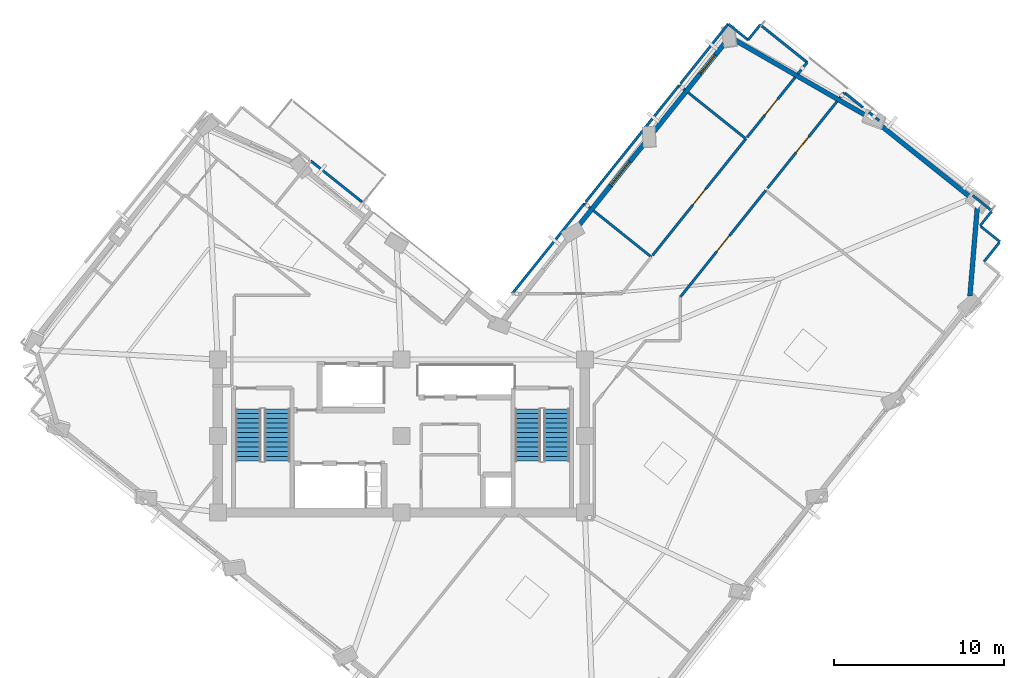
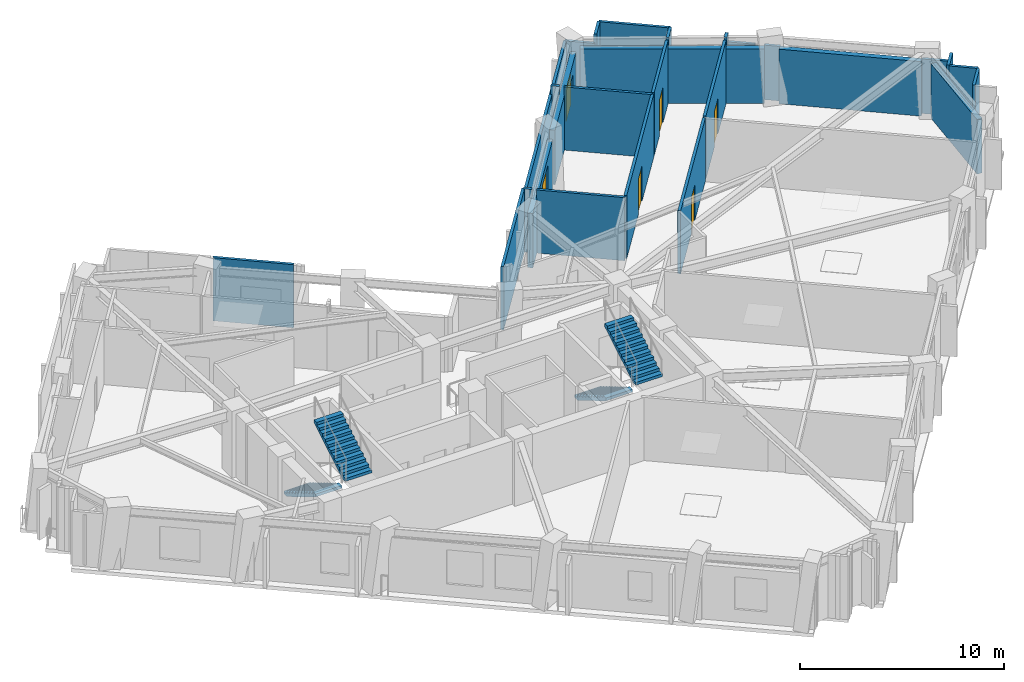
# One storey, part 7 of 10: 28 walls, 4 doors, 4 stair flights, 2 windows, 6 openings, 2 elements without a shape of their own.
"""IFC4 building model written with IfcOpenShell, lengths in metres."""

from ifc_helpers import new_model, si_unit, direction, frame, frame_2d, origin, place, context, subcontext, project, spatial, polyline, rectangle, outline, extrude, material, layer, layer_set, type_object, element, fill, aggregate, save


model = new_model("IFC4")

# Units and contexts
model_context = context("Model", 3, precision=1e-05, world=origin(), true_north=direction((0.0, 1.0)))
body_context = subcontext(model_context, "Body", "Model", "MODEL_VIEW")
ifc_project = project(units=[si_unit("LENGTHUNIT", "METRE"), si_unit("AREAUNIT", "SQUARE_METRE"), si_unit("VOLUMEUNIT", "CUBIC_METRE"), si_unit("PLANEANGLEUNIT", "RADIAN"), si_unit("MASSUNIT", "GRAM", prefix="KILO")], contexts=[model_context])

# Site, building, storey
site_placement = place(None, origin())
site = spatial("IfcSite", under=ifc_project, at=site_placement, CompositionType="ELEMENT")
building_placement = place(site_placement, origin())
building = spatial("IfcBuilding", under=site, at=building_placement, Name="Gaonmaruhae Medical Tower", CompositionType="ELEMENT")
storey_placement = place(building_placement, frame((0.0, 0.0, 243.199951171875)))
storey = spatial("IfcBuildingStorey", under=building, at=storey_placement, Name="L58", CompositionType="ELEMENT", Elevation=243.199951171875)

# Walls
ifc_material_1 = material(Name="Precast concrete C45/55", Category="concrete")
ifc_layer_1 = layer(ifc_material_1, 0.280029296875)
ifc_layer_set_1 = layer_set([ifc_layer_1], Name="Precast concrete C45/55")
wall_type_1 = type_object("IfcWallType", Name="EW-280 Upper Precast Masonry-Frame Facade Wall", PredefinedType="SOLIDWALL", material=ifc_layer_set_1)
wall_1_placement = place(storey_placement, frame((58.705810546875, 25.819091796875, 0.0), z_axis=(0.0, 0.0, 1.0), x_axis=(-0.082824121578, -0.996564180013, 0.0)))
element("IfcWall", 1, at=wall_1_placement, inside=storey, type_object=wall_type_1, Name="L58 Precast Masonry-Frame Wall S06-E01", PredefinedType="SOLIDWALL", context=body_context, shape_type="SweptSolid", body=[
    extrude(rectangle(XDim=5.294189453125, YDim=0.280029296875, at=frame_2d((2.64697265625, 0.0))), origin(), (0.0, 0.0, 1.0), 3.26513671875),
])
wall_2_placement = place(storey_placement, frame((52.827880859375, 30.72998046875, 0.0), z_axis=(0.0, 0.0, 1.0), x_axis=(0.780415642575, -0.625261085327, 0.0)))
element("IfcWall", 2, at=wall_2_placement, inside=storey, type_object=wall_type_1, Name="L58 Precast Masonry-Frame Wall E01-E02", PredefinedType="SOLIDWALL", context=body_context, shape_type="SweptSolid", body=[
    extrude(rectangle(XDim=7.04638671875, YDim=0.280029296875, at=frame_2d((3.523193359375, 0.0))), origin(), (0.0, 0.0, 1.0), 3.26513671875),
])
wall_3_placement = place(storey_placement, frame((44.36328125, 35.642822265625, 0.0), z_axis=(0.0, 0.0, 1.0), x_axis=(0.86682135291, -0.498618834521, 0.0)))
element("IfcWall", 3, at=wall_3_placement, inside=storey, type_object=wall_type_1, Name="L58 Precast Masonry-Frame Wall E02-E03", PredefinedType="SOLIDWALL", context=body_context, shape_type="SweptSolid", body=[
    extrude(rectangle(XDim=9.0361328125, YDim=0.280029296875, at=frame_2d((4.51806640625, 0.0))), origin(), (0.0, 0.0, 1.0), 3.26513671875),
])

# Wall, opening, window
wall_4_placement = place(storey_placement, frame((39.657470703125, 30.201904296875, 0.0), z_axis=(0.0, 0.0, 1.0), x_axis=(0.625252613866, 0.780422429748, 0.0)))
wall_4 = element("IfcWall", 4, at=wall_4_placement, inside=storey, type_object=wall_type_1, Name="L58 Precast Masonry-Frame Wall E03-EN01", PredefinedType="SOLIDWALL", context=body_context, shape_type="SweptSolid", body=[
    extrude(rectangle(XDim=6.77978515625, YDim=0.280029296875, at=frame_2d((3.389892578125, 0.0))), origin(), (0.0, 0.0, 1.0), 3.26513671875),
])
opening_1_placement = place(wall_4_placement, frame((4.3857421875, 0.0, 0.75)))
opening_1 = element("IfcOpeningElement", 5, at=opening_1_placement, cuts=wall_4, Name="Opening WN-03", PredefinedType="OPENING", context=body_context, shape_type="SweptSolid", body=[
    extrude(rectangle(XDim=1.39990234375, YDim=1.85009765625, at=frame_2d((0.699951171875, 0.925048828125))), frame((0.0, 0.14990234375, 0.0), z_axis=(0.0, -1.0, 0.0), x_axis=(1.0, 0.0, 0.0)), (0.0, 0.0, 1.0), 0.300048828125),
])
ifc_material_2 = material(Name="Anodised aluminium and Low-E double glazing", Category="aluminium")
window_type_1 = type_object("IfcWindowType", Name="WN-03 Isolation Ward Punched Window 1400x1850", PartitioningType="SINGLE_PANEL", PredefinedType="WINDOW", material=ifc_material_2)
window_1_placement = place(opening_1_placement, origin())
window_1 = element("IfcWindow", 6, at=window_1_placement, inside=storey, type_object=window_type_1, Name="L58 Modular Facade Window E03", OverallHeight=1.85009765625, OverallWidth=1.39990234375, PartitioningType="SINGLE_PANEL", PredefinedType="WINDOW", context=body_context, shape_type="SweptSolid", body=[
    extrude(rectangle(XDim=1.39990234375, YDim=1.85009765625, at=frame_2d((0.699951171875, 0.925048828125))), frame((0.0, 0.030029296875, 0.0), z_axis=(0.0, -1.0, 0.0), x_axis=(1.0, 0.0, 0.0)), (0.0, 0.0, 1.0), 0.06005859375),
])
fill(opening_1, window_1)

wall_5_placement = place(storey_placement, frame((35.1591796875, 24.587158203125, 0.0), z_axis=(0.0, 0.0, 1.0), x_axis=(0.625266247594, 0.780411506591, 0.0)))
wall_5 = element("IfcWall", 7, at=wall_5_placement, inside=storey, type_object=wall_type_1, Name="L58 Precast Masonry-Frame Wall EN01-EN02", PredefinedType="SOLIDWALL", context=body_context, shape_type="SweptSolid", body=[
    extrude(rectangle(XDim=6.409423828125, YDim=0.280029296875, at=frame_2d((3.20458984375, 0.0))), origin(), (0.0, 0.0, 1.0), 3.26513671875),
])
opening_2_placement = place(wall_5_placement, frame((3.14794921875, 0.0, 0.75)))
opening_2 = element("IfcOpeningElement", 8, at=opening_2_placement, cuts=wall_5, Name="Opening WN-04", PredefinedType="OPENING", context=body_context, shape_type="SweptSolid", body=[
    extrude(rectangle(XDim=1.800048828125, YDim=2.050048828125, at=frame_2d((0.89990234375, 1.02490234375))), frame((0.0, 0.14990234375, 0.0), z_axis=(0.0, -1.0, 0.0), x_axis=(1.0, 0.0, 0.0)), (0.0, 0.0, 1.0), 0.300048828125),
])
window_type_2 = type_object("IfcWindowType", Name="WN-04 Clinic & Consult Punched Window 1800x2050", PartitioningType="SINGLE_PANEL", PredefinedType="WINDOW", material=ifc_material_2)
window_2_placement = place(opening_2_placement, origin())
window_2 = element("IfcWindow", 9, at=window_2_placement, inside=storey, type_object=window_type_2, Name="L58 Modular Facade Window EN01", OverallHeight=2.050048828125, OverallWidth=1.800048828125, PartitioningType="SINGLE_PANEL", PredefinedType="WINDOW", context=body_context, shape_type="SweptSolid", body=[
    extrude(rectangle(XDim=1.800048828125, YDim=2.050048828125, at=frame_2d((0.89990234375, 1.02490234375))), frame((0.0, 0.030029296875, 0.0), z_axis=(0.0, -1.0, 0.0), x_axis=(1.0, 0.0, 0.0)), (0.0, 0.0, 1.0), 0.06005859375),
])
fill(opening_2, window_2)

# Wall, opening, door
ifc_material_3 = material(Name="Gypsum board partition", Category="gypsum")
ifc_layer_2 = layer(ifc_material_3, 0.14990234375)
ifc_layer_set_2 = layer_set([ifc_layer_2], Name="Gypsum board partition")
wall_type_2 = type_object("IfcWallType", Name="PW-150 Rated Clinical Corridor Partition", PredefinedType="PARTITIONING", material=ifc_layer_set_2)
wall_6_placement = place(storey_placement, frame((41.22998046875, 20.489013671875, 0.0), z_axis=(0.0, 0.0, 1.0), x_axis=(0.625221152435, 0.780447634725, 0.0)))
wall_6 = element("IfcWall", 10, at=wall_6_placement, inside=storey, type_object=wall_type_2, Name="L58 Interior Partition L58-SUP03-23", PredefinedType="PARTITIONING", context=body_context, shape_type="SweptSolid", body=[
    extrude(rectangle(XDim=8.033935546875, YDim=0.14990234375, at=frame_2d((4.01708984375, 0.0))), origin(), (0.0, 0.0, 1.0), 3.780029296875),
])
opening_3_placement = place(wall_6_placement, frame((3.4169921875, 0.0, 0.0)))
opening_3 = element("IfcOpeningElement", 11, at=opening_3_placement, cuts=wall_6, Name="Opening CD-02", PredefinedType="OPENING", context=body_context, shape_type="SweptSolid", body=[
    extrude(rectangle(XDim=1.199951171875, YDim=2.14990234375, at=frame_2d((0.60009765625, 1.074951171875))), frame((0.0, 0.0849609375, 0.0), z_axis=(0.0, -1.0, 0.0), x_axis=(1.0, 0.0, 0.0)), (0.0, 0.0, 1.0), 0.169921875),
])
ifc_material_4 = material(Name="Antimicrobial laminate timber fire door", Category="wood")
door_type = type_object("IfcDoorType", Name="CD-02 Clinical Treatment & Procedure Door 1200x2150", OperationType="NOTDEFINED", PredefinedType="DOOR", material=ifc_material_4)
door_1_placement = place(opening_3_placement, origin())
door_1 = element("IfcDoor", 12, at=door_1_placement, inside=storey, type_object=door_type, Name="L58 Clinical Biomedical Charting Office Door", OperationType="SINGLE_SWING_LEFT", OverallHeight=2.14990234375, OverallWidth=1.199951171875, PredefinedType="DOOR", context=body_context, shape_type="SweptSolid", body=[
    extrude(rectangle(XDim=1.199951171875, YDim=2.14990234375, at=frame_2d((0.60009765625, 1.074951171875))), frame((0.0, 0.02490234375, 0.0), z_axis=(0.0, -1.0, 0.0), x_axis=(1.0, 0.0, 0.0)), (0.0, 0.0, 1.0), 0.050048828125),
])
fill(opening_3, door_1)

wall_7_placement = place(storey_placement, frame((46.35302734375, 26.884033203125, 0.0), z_axis=(0.0, 0.0, 1.0), x_axis=(0.625284721196, 0.780396705169, 0.0)))
wall_7 = element("IfcWall", 13, at=wall_7_placement, inside=storey, type_object=wall_type_2, Name="L58 Interior Partition L58-SUP04-30", PredefinedType="PARTITIONING", context=body_context, shape_type="SweptSolid", body=[
    extrude(rectangle(XDim=6.561767578125, YDim=0.14990234375, at=frame_2d((3.28076171875, 0.0))), origin(), (0.0, 0.0, 1.0), 3.780029296875),
])
opening_4_placement = place(wall_7_placement, frame((2.680908203125, 0.0, 0.0)))
opening_4 = element("IfcOpeningElement", 14, at=opening_4_placement, cuts=wall_7, Name="Opening CD-02", PredefinedType="OPENING", context=body_context, shape_type="SweptSolid", body=[
    extrude(rectangle(XDim=1.199951171875, YDim=2.14990234375, at=frame_2d((0.60009765625, 1.074951171875))), frame((0.0, 0.0849609375, 0.0), z_axis=(0.0, -1.0, 0.0), x_axis=(1.0, 0.0, 0.0)), (0.0, 0.0, 1.0), 0.169921875),
])
door_2_placement = place(opening_4_placement, origin())
door_2 = element("IfcDoor", 15, at=door_2_placement, inside=storey, type_object=door_type, Name="L58 Clinical Biomedical Charting Office Door", OperationType="SINGLE_SWING_LEFT", OverallHeight=2.14990234375, OverallWidth=1.199951171875, PredefinedType="DOOR", context=body_context, shape_type="SweptSolid", body=[
    extrude(rectangle(XDim=1.199951171875, YDim=2.14990234375, at=frame_2d((0.60009765625, 1.074951171875))), frame((0.0, 0.02490234375, 0.0), z_axis=(0.0, -1.0, 0.0), x_axis=(1.0, 0.0, 0.0)), (0.0, 0.0, 1.0), 0.050048828125),
])
fill(opening_4, door_2)

# Walls
wall_8_placement = place(storey_placement, frame((50.60205078125, 32.18701171875, 0.0), z_axis=(0.0, 0.0, 1.0), x_axis=(0.624765267043, 0.780812628674, 0.0)))
element("IfcWall", 16, at=wall_8_placement, inside=storey, type_object=wall_type_2, Name="L58 Interior Partition L58-SUP04-31", PredefinedType="PARTITIONING", context=body_context, shape_type="SweptSolid", body=[
    extrude(rectangle(XDim=0.424072265625, YDim=0.14990234375, at=frame_2d((0.2119140625, 0.0))), origin(), (0.0, 0.0, 1.0), 3.780029296875),
])
wall_9_placement = place(storey_placement, frame((50.906005859375, 32.487060546875, 0.0), z_axis=(0.0, 0.0, 1.0), x_axis=(0.780146097306, -0.625597368008, 0.0)))
element("IfcWall", 17, at=wall_9_placement, inside=storey, type_object=wall_type_2, Name="L58 Interior Partition L58-SUP04-32", PredefinedType="PARTITIONING", context=body_context, shape_type="SweptSolid", body=[
    extrude(rectangle(XDim=1.352294921875, YDim=0.14990234375, at=frame_2d((0.67626953125, 0.0))), origin(), (0.0, 0.0, 1.0), 3.26513671875),
])
wall_10_placement = place(storey_placement, frame((52.321044921875, 31.35400390625, 0.0), z_axis=(0.0, 0.0, 1.0), x_axis=(0.779928536571, -0.62586857873, 0.0)))
element("IfcWall", 18, at=wall_10_placement, inside=storey, type_object=wall_type_2, Name="L58 Interior Partition L58-SUP04-33", PredefinedType="PARTITIONING", context=body_context, shape_type="SweptSolid", body=[
    extrude(rectangle(XDim=0.7861328125, YDim=0.14990234375, at=frame_2d((0.39306640625, 0.0))), origin(), (0.0, 0.0, 1.0), 3.26513671875),
])
wall_11_placement = place(storey_placement, frame((58.43310546875, 26.45703125, 0.0), z_axis=(0.0, 0.0, 1.0), x_axis=(0.780492276446, -0.625165423235, 0.0)))
element("IfcWall", 19, at=wall_11_placement, inside=storey, type_object=wall_type_2, Name="L58 Interior Partition L58-SUP04-34", PredefinedType="PARTITIONING", context=body_context, shape_type="SweptSolid", body=[
    extrude(rectangle(XDim=1.45556640625, YDim=0.14990234375, at=frame_2d((0.727783203125, 0.0))), origin(), (0.0, 0.0, 1.0), 3.26513671875),
])
wall_12_placement = place(storey_placement, frame((59.5380859375, 25.508056640625, 0.0), z_axis=(0.0, 0.0, 1.0), x_axis=(-0.62539041373, -0.780312008375, 0.0)))
element("IfcWall", 20, at=wall_12_placement, inside=storey, type_object=wall_type_2, Name="L58 Interior Partition L58-SUP04-35", PredefinedType="PARTITIONING", context=body_context, shape_type="SweptSolid", body=[
    extrude(rectangle(XDim=1.070068359375, YDim=0.14990234375, at=frame_2d((0.53515625, 0.0))), origin(), (0.0, 0.0, 1.0), 3.780029296875),
])
for number, where, z_axis, x_axis, name in (
    (21, (58.907958984375, 24.64208984375, 0.0), (0.0, 0.0, 1.0), (0.780161883603, -0.625577681326, 0.0), "L58 Interior Partition L58-SUP04-36"),
    (22, (60.008056640625, 23.696044921875, 0.0), (0.0, 0.0, 1.0), (-0.624838771531, -0.780753808567, 0.0), "L58 Interior Partition L58-SUP04-37"),
):
    element("IfcWall", number, at=place(storey_placement, frame(where, z_axis=z_axis, x_axis=x_axis)), inside=storey, type_object=wall_type_2, Name=name, PredefinedType="PARTITIONING", context=body_context, shape_type="SweptSolid", body=[
        extrude(rectangle(XDim=1.449951171875, YDim=0.14990234375, at=frame_2d((0.72509765625, 0.0))), origin(), (0.0, 0.0, 1.0), 3.780029296875),
    ])
wall_13_placement = place(storey_placement, frame((35.580078125, 25.991943359375, 0.0), z_axis=(0.0, 0.0, 1.0), x_axis=(0.779881129796, -0.625927650283, 0.0)))
element("IfcWall", 23, at=wall_13_placement, inside=storey, type_object=wall_type_2, Name="L58 Interior Partition L58-IE01-54", PredefinedType="PARTITIONING", context=body_context, shape_type="SweptSolid", body=[
    extrude(rectangle(XDim=0.4345703125, YDim=0.14990234375, at=frame_2d((0.21728515625, 0.0))), origin(), (0.0, 0.0, 1.0), 3.780029296875),
])
wall_14_placement = place(storey_placement, frame((36.09912109375, 25.575927734375, 0.0), z_axis=(0.0, 0.0, 1.0), x_axis=(0.780443899809, -0.625225814607, 0.0)))
element("IfcWall", 24, at=wall_14_placement, inside=storey, type_object=wall_type_2, Name="L58 Interior Partition L58-IE01-55", PredefinedType="PARTITIONING", context=body_context, shape_type="SweptSolid", body=[
    extrude(rectangle(XDim=4.374267578125, YDim=0.14990234375, at=frame_2d((2.18701171875, 0.0))), origin(), (0.0, 0.0, 1.0), 3.780029296875),
])
wall_15_placement = place(storey_placement, frame((31.323974609375, 20.679931640625, 0.0), z_axis=(0.0, 0.0, 1.0), x_axis=(0.625276626148, 0.780403191173, 0.0)))
element("IfcWall", 25, at=wall_15_placement, inside=storey, type_object=wall_type_2, Name="L58 Interior Partition L58-IE01-59", PredefinedType="PARTITIONING", context=body_context, shape_type="SweptSolid", body=[
    extrude(rectangle(XDim=6.806640625, YDim=0.14990234375, at=frame_2d((3.4033203125, 0.0))), origin(), (0.0, 0.0, 1.0), 3.780029296875),
])

# Wall, opening, door
wall_16_placement = place(storey_placement, frame((45.0830078125, 29.79296875, 0.0), z_axis=(0.0, 0.0, 1.0), x_axis=(-0.625250470094, -0.780424147273, 0.0)))
wall_16 = element("IfcWall", 26, at=wall_16_placement, inside=storey, type_object=wall_type_2, Name="L58 Interior Partition L58-IE02-60", PredefinedType="PARTITIONING", context=body_context, shape_type="SweptSolid", body=[
    extrude(rectangle(XDim=8.78857421875, YDim=0.14990234375, at=frame_2d((4.394287109375, 0.0))), origin(), (0.0, 0.0, 1.0), 3.780029296875),
])
opening_5_placement = place(wall_16_placement, frame((3.794189453125, 0.0, 0.0)))
opening_5 = element("IfcOpeningElement", 27, at=opening_5_placement, cuts=wall_16, Name="Opening CD-02", PredefinedType="OPENING", context=body_context, shape_type="SweptSolid", body=[
    extrude(rectangle(XDim=1.199951171875, YDim=2.14990234375, at=frame_2d((0.60009765625, 1.074951171875))), frame((0.0, 0.0849609375, 0.0), z_axis=(0.0, -1.0, 0.0), x_axis=(1.0, 0.0, 0.0)), (0.0, 0.0, 1.0), 0.169921875),
])
door_3_placement = place(opening_5_placement, origin())
door_3 = element("IfcDoor", 28, at=door_3_placement, inside=storey, type_object=door_type, Name="L58 Acute Treatment Examination Room Door", OperationType="SINGLE_SWING_RIGHT", OverallHeight=2.14990234375, OverallWidth=1.199951171875, PredefinedType="DOOR", context=body_context, shape_type="SweptSolid", body=[
    extrude(rectangle(XDim=1.199951171875, YDim=2.14990234375, at=frame_2d((0.60009765625, 1.074951171875))), frame((0.0, 0.02490234375, 0.0), z_axis=(0.0, -1.0, 0.0), x_axis=(1.0, 0.0, 0.0)), (0.0, 0.0, 1.0), 0.050048828125),
])
fill(opening_5, door_3)

# Walls
wall_17_placement = place(storey_placement, frame((35.655029296875, 26.0849609375, 0.0), z_axis=(0.0, 0.0, 1.0), x_axis=(0.625219995527, 0.780448561529, 0.0)))
element("IfcWall", 29, at=wall_17_placement, inside=storey, type_object=wall_type_2, Name="L58 Interior Partition L58-IE02-61", PredefinedType="PARTITIONING", context=body_context, shape_type="SweptSolid", body=[
    extrude(rectangle(XDim=8.788818359375, YDim=0.14990234375, at=frame_2d((4.39453125, 0.0))), origin(), (0.0, 0.0, 1.0), 3.26513671875),
])
wall_18_placement = place(storey_placement, frame((41.14990234375, 32.944091796875, 0.0), z_axis=(0.0, 0.0, 1.0), x_axis=(0.780101119222, -0.625653453429, 0.0)))
element("IfcWall", 30, at=wall_18_placement, inside=storey, type_object=wall_type_2, Name="L58 Interior Partition L58-IE02-62", PredefinedType="PARTITIONING", context=body_context, shape_type="SweptSolid", body=[
    extrude(rectangle(XDim=0.434814453125, YDim=0.14990234375, at=frame_2d((0.21728515625, 0.0))), origin(), (0.0, 0.0, 1.0), 3.780029296875),
])
wall_19_placement = place(storey_placement, frame((41.6689453125, 32.528076171875, 0.0), z_axis=(0.0, 0.0, 1.0), x_axis=(0.780438483682, -0.625232575278, 0.0)))
element("IfcWall", 31, at=wall_19_placement, inside=storey, type_object=wall_type_2, Name="L58 Interior Partition L58-IE02-63", PredefinedType="PARTITIONING", context=body_context, shape_type="SweptSolid", body=[
    extrude(rectangle(XDim=4.37451171875, YDim=0.14990234375, at=frame_2d((2.187255859375, 0.0))), origin(), (0.0, 0.0, 1.0), 3.780029296875),
])
wall_20_placement = place(storey_placement, frame((45.2109375, 35.614990234375, 0.0), z_axis=(0.0, 0.0, 1.0), x_axis=(0.625765609441, 0.780011155075, 0.0)))
element("IfcWall", 32, at=wall_20_placement, inside=storey, type_object=wall_type_2, Name="L58 Interior Partition L58-IE03-64", PredefinedType="PARTITIONING", context=body_context, shape_type="SweptSolid", body=[
    extrude(rectangle(XDim=1.1396484375, YDim=0.14990234375, at=frame_2d((0.56982421875, 0.0))), origin(), (0.0, 0.0, 1.0), 3.780029296875),
])
wall_21_placement = place(storey_placement, frame((45.924072265625, 36.50390625, 0.0), z_axis=(0.0, 0.0, 1.0), x_axis=(0.780518796961, -0.625132312067, 0.0)))
element("IfcWall", 33, at=wall_21_placement, inside=storey, type_object=wall_type_2, Name="L58 Interior Partition L58-IE03-65", PredefinedType="PARTITIONING", context=body_context, shape_type="SweptSolid", body=[
    extrude(rectangle(XDim=3.539794921875, YDim=0.14990234375, at=frame_2d((1.77001953125, 0.0))), origin(), (0.0, 0.0, 1.0), 3.780029296875),
])
wall_22_placement = place(storey_placement, frame((48.68701171875, 34.291015625, 0.0), z_axis=(0.0, 0.0, 1.0), x_axis=(-0.625541168614, -0.780191160145, 0.0)))
element("IfcWall", 34, at=wall_22_placement, inside=storey, type_object=wall_type_2, Name="L58 Interior Partition L58-IE03-66", PredefinedType="PARTITIONING", context=body_context, shape_type="SweptSolid", body=[
    extrude(rectangle(XDim=0.87939453125, YDim=0.14990234375, at=frame_2d((0.439697265625, 0.0))), origin(), (0.0, 0.0, 1.0), 3.780029296875),
])

# Wall, opening, door
wall_23_placement = place(storey_placement, frame((47.991943359375, 33.423095703125, 0.0), z_axis=(0.0, 0.0, 1.0), x_axis=(-0.625272947214, -0.780406138804, 0.0)))
wall_23 = element("IfcWall", 35, at=wall_23_placement, inside=storey, type_object=wall_type_2, Name="L58 Interior Partition L58-IE03-67", PredefinedType="PARTITIONING", context=body_context, shape_type="SweptSolid", body=[
    extrude(rectangle(XDim=4.532470703125, YDim=0.14990234375, at=frame_2d((2.26611328125, 0.0))), origin(), (0.0, 0.0, 1.0), 3.780029296875),
])
opening_6_placement = place(wall_23_placement, frame((1.666259765625, 0.0, 0.0)))
opening_6 = element("IfcOpeningElement", 36, at=opening_6_placement, cuts=wall_23, Name="Opening CD-02", PredefinedType="OPENING", context=body_context, shape_type="SweptSolid", body=[
    extrude(rectangle(XDim=1.199951171875, YDim=2.14990234375, at=frame_2d((0.60009765625, 1.074951171875))), frame((0.0, 0.0849609375, 0.0), z_axis=(0.0, -1.0, 0.0), x_axis=(1.0, 0.0, 0.0)), (0.0, 0.0, 1.0), 0.169921875),
])
door_4_placement = place(opening_6_placement, origin())
door_4 = element("IfcDoor", 37, at=door_4_placement, inside=storey, type_object=door_type, Name="L58 Clean Medication Preparation Room Door", OperationType="SINGLE_SWING_RIGHT", OverallHeight=2.14990234375, OverallWidth=1.199951171875, PredefinedType="DOOR", context=body_context, shape_type="SweptSolid", body=[
    extrude(rectangle(XDim=1.199951171875, YDim=2.14990234375, at=frame_2d((0.60009765625, 1.074951171875))), frame((0.0, 0.02490234375, 0.0), z_axis=(0.0, -1.0, 0.0), x_axis=(1.0, 0.0, 0.0)), (0.0, 0.0, 1.0), 0.050048828125),
])
fill(opening_6, door_4)

# Walls
wall_24_placement = place(storey_placement, frame((41.22509765625, 33.0380859375, 0.0), z_axis=(0.0, 0.0, 1.0), x_axis=(0.625236978682, 0.780434955963, 0.0)))
element("IfcWall", 38, at=wall_24_placement, inside=storey, type_object=wall_type_2, Name="L58 Interior Partition L58-IE03-68", PredefinedType="PARTITIONING", context=body_context, shape_type="SweptSolid", body=[
    extrude(rectangle(XDim=4.503662109375, YDim=0.14990234375, at=frame_2d((2.251953125, 0.0))), origin(), (0.0, 0.0, 1.0), 3.26513671875),
])
wall_25_placement = place(storey_placement, frame((44.041015625, 36.552978515625, 0.0), z_axis=(0.0, 0.0, 1.0), x_axis=(0.78020122682, -0.625528612989, 0.0)))
element("IfcWall", 39, at=wall_25_placement, inside=storey, type_object=wall_type_2, Name="L58 Interior Partition L58-IE03-69", PredefinedType="PARTITIONING", context=body_context, shape_type="SweptSolid", body=[
    extrude(rectangle(XDim=1.49951171875, YDim=0.14990234375, at=frame_2d((0.749755859375, 0.0))), origin(), (0.0, 0.0, 1.0), 3.26513671875),
])
wall_26_placement = place(storey_placement, frame((19.468994140625, 28.4970703125, 0.0), z_axis=(0.0, 0.0, 1.0), x_axis=(0.780463757191, -0.62520102664, 0.0)))
element("IfcWall", 40, at=wall_26_placement, inside=storey, type_object=wall_type_2, Name="L58 Interior Partition L58-IN02-73", PredefinedType="PARTITIONING", context=body_context, shape_type="SweptSolid", body=[
    extrude(rectangle(XDim=4.000244140625, YDim=0.14990234375, at=frame_2d((2.0, 0.0))), origin(), (0.0, 0.0, 1.0), 3.780029296875),
])

# Stair, stair flights
ifc_material_5 = material(Name="Concrete C40/50", Category="concrete")
stair_type = type_object("IfcStairType", Name="ST-T1 Primary Core Escape Dogleg Stair", PredefinedType="TWO_QUARTER_TURN_STAIR", material=ifc_material_5)
stair_1_placement = place(storey_placement, origin())
stair_1 = element("IfcStair", 41, at=stair_1_placement, inside=storey, type_object=stair_type, Name="L58 Protected Escape Stair ST-01", PredefinedType="TWO_QUARTER_TURN_STAIR")
stair_flight_type = type_object("IfcStairFlightType", Name="SF-T1 Primary Core Precast Stair Flight", PredefinedType="STRAIGHT", material=ifc_material_5)
stair_flight_1_placement = place(storey_placement, frame((15.800048828125, 13.89990234375, 0.0), z_axis=(0.0, 0.0, 1.0), x_axis=(0.0, -1.0, 0.0)))
stair_flight_1 = element("IfcStairFlight", 42, at=stair_flight_1_placement, type_object=stair_flight_type, Name="ST-01 flight 1", NumberOfRisers=12, NumberOfTreads=11, PredefinedType="STRAIGHT", RiserHeight=0.166666667, TreadLength=0.28, context=body_context, shape_type="SweptSolid", body=[
    extrude(outline(polyline([(0.0, 0.0), (0.0, 0.166748046875), (0.280029296875, 0.166748046875), (0.280029296875, 0.333251953125), (0.56005859375, 0.333251953125), (0.56005859375, 0.5), (0.840087890625, 0.5), (0.840087890625, 0.666748046875), (1.1201171875, 0.666748046875), (1.1201171875, 0.833251953125), (1.39990234375, 0.833251953125), (1.39990234375, 1.0), (1.679931640625, 1.0), (1.679931640625, 1.166748046875), (1.9599609375, 1.166748046875), (1.9599609375, 1.333251953125), (2.239990234375, 1.333251953125), (2.239990234375, 1.5), (2.52001953125, 1.5), (2.52001953125, 1.666748046875), (2.800048828125, 1.666748046875), (2.800048828125, 1.833251953125), (3.080078125, 1.833251953125), (3.080078125, 2.0), (3.080078125, 1.658935546875), (0.29296875, 0.0), (0.0, 0.0)])), frame((0.0, 0.75, 0.0), z_axis=(0.0, -1.0, 0.0), x_axis=(1.0, 0.0, 0.0)), (0.0, 0.0, 1.0), 1.5),
])
stair_flight_2_placement = place(storey_placement, frame((17.5, 10.820068359375, 2.0), z_axis=(0.0, 0.0, 1.0), x_axis=(0.0, 1.0, 0.0)))
stair_flight_2 = element("IfcStairFlight", 43, at=stair_flight_2_placement, type_object=stair_flight_type, Name="ST-01 flight 2", NumberOfRisers=12, NumberOfTreads=11, PredefinedType="STRAIGHT", RiserHeight=0.166666667, TreadLength=0.28, context=body_context, shape_type="SweptSolid", body=[
    extrude(outline(polyline([(0.0, 0.0), (0.0, 0.166748046875), (0.280029296875, 0.166748046875), (0.280029296875, 0.333251953125), (0.56005859375, 0.333251953125), (0.56005859375, 0.5), (0.840087890625, 0.5), (0.840087890625, 0.666748046875), (1.1201171875, 0.666748046875), (1.1201171875, 0.833251953125), (1.39990234375, 0.833251953125), (1.39990234375, 1.0), (1.679931640625, 1.0), (1.679931640625, 1.166748046875), (1.9599609375, 1.166748046875), (1.9599609375, 1.333251953125), (2.239990234375, 1.333251953125), (2.239990234375, 1.5), (2.52001953125, 1.5), (2.52001953125, 1.666748046875), (2.800048828125, 1.666748046875), (2.800048828125, 1.833251953125), (3.080078125, 1.833251953125), (3.080078125, 2.0), (3.080078125, 1.658935546875), (0.29296875, 0.0), (0.0, 0.0)])), frame((0.0, 0.75, 0.0), z_axis=(0.0, -1.0, 0.0), x_axis=(1.0, 0.0, 0.0)), (0.0, 0.0, 1.0), 1.5),
])
aggregate(stair_1, [stair_flight_1, stair_flight_2])

stair_2_placement = place(storey_placement, origin())
stair_2 = element("IfcStair", 44, at=stair_2_placement, inside=storey, type_object=stair_type, Name="L58 Protected Escape Stair ST-02", PredefinedType="TWO_QUARTER_TURN_STAIR")
stair_flight_3_placement = place(storey_placement, frame((32.25, 13.89990234375, 0.0), z_axis=(0.0, 0.0, 1.0), x_axis=(0.0, -1.0, 0.0)))
stair_flight_3 = element("IfcStairFlight", 45, at=stair_flight_3_placement, type_object=stair_flight_type, Name="ST-02 flight 1", NumberOfRisers=12, NumberOfTreads=11, PredefinedType="STRAIGHT", RiserHeight=0.166666667, TreadLength=0.28, context=body_context, shape_type="SweptSolid", body=[
    extrude(outline(polyline([(0.0, 0.0), (0.0, 0.166748046875), (0.280029296875, 0.166748046875), (0.280029296875, 0.333251953125), (0.56005859375, 0.333251953125), (0.56005859375, 0.5), (0.840087890625, 0.5), (0.840087890625, 0.666748046875), (1.1201171875, 0.666748046875), (1.1201171875, 0.833251953125), (1.39990234375, 0.833251953125), (1.39990234375, 1.0), (1.679931640625, 1.0), (1.679931640625, 1.166748046875), (1.9599609375, 1.166748046875), (1.9599609375, 1.333251953125), (2.239990234375, 1.333251953125), (2.239990234375, 1.5), (2.52001953125, 1.5), (2.52001953125, 1.666748046875), (2.800048828125, 1.666748046875), (2.800048828125, 1.833251953125), (3.080078125, 1.833251953125), (3.080078125, 2.0), (3.080078125, 1.658935546875), (0.29296875, 0.0), (0.0, 0.0)])), frame((0.0, 0.75, 0.0), z_axis=(0.0, -1.0, 0.0), x_axis=(1.0, 0.0, 0.0)), (0.0, 0.0, 1.0), 1.5),
])
stair_flight_4_placement = place(storey_placement, frame((33.949951171875, 10.820068359375, 2.0), z_axis=(0.0, 0.0, 1.0), x_axis=(0.0, 1.0, 0.0)))
stair_flight_4 = element("IfcStairFlight", 46, at=stair_flight_4_placement, type_object=stair_flight_type, Name="ST-02 flight 2", NumberOfRisers=12, NumberOfTreads=11, PredefinedType="STRAIGHT", RiserHeight=0.166666667, TreadLength=0.28, context=body_context, shape_type="SweptSolid", body=[
    extrude(outline(polyline([(0.0, 0.0), (0.0, 0.166748046875), (0.280029296875, 0.166748046875), (0.280029296875, 0.333251953125), (0.56005859375, 0.333251953125), (0.56005859375, 0.5), (0.840087890625, 0.5), (0.840087890625, 0.666748046875), (1.1201171875, 0.666748046875), (1.1201171875, 0.833251953125), (1.39990234375, 0.833251953125), (1.39990234375, 1.0), (1.679931640625, 1.0), (1.679931640625, 1.166748046875), (1.9599609375, 1.166748046875), (1.9599609375, 1.333251953125), (2.239990234375, 1.333251953125), (2.239990234375, 1.5), (2.52001953125, 1.5), (2.52001953125, 1.666748046875), (2.800048828125, 1.666748046875), (2.800048828125, 1.833251953125), (3.080078125, 1.833251953125), (3.080078125, 2.0), (3.080078125, 1.658935546875), (0.29296875, 0.0), (0.0, 0.0)])), frame((0.0, 0.75, 0.0), z_axis=(0.0, -1.0, 0.0), x_axis=(1.0, 0.0, 0.0)), (0.0, 0.0, 1.0), 1.5),
])
aggregate(stair_2, [stair_flight_3, stair_flight_4])

save(model, "model.ifc")
